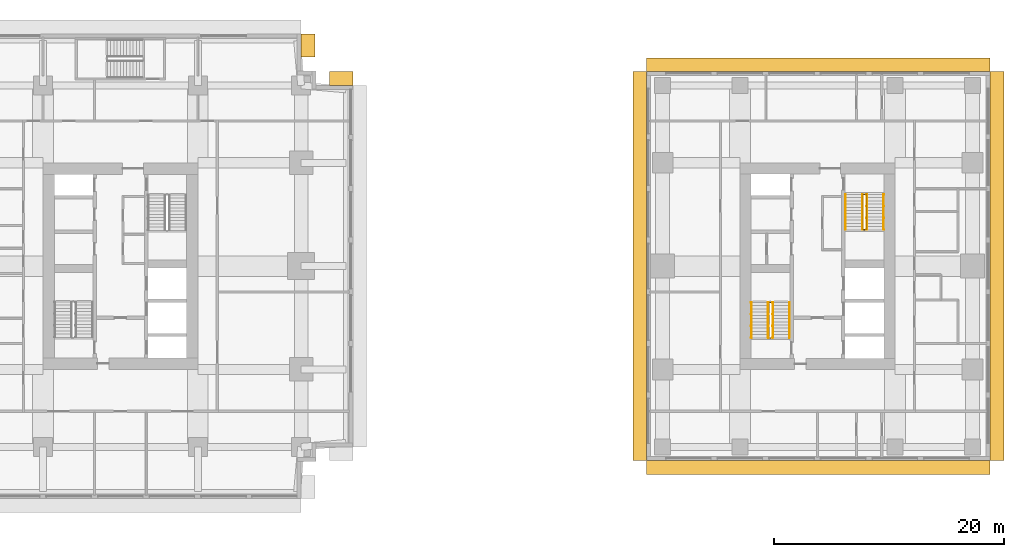
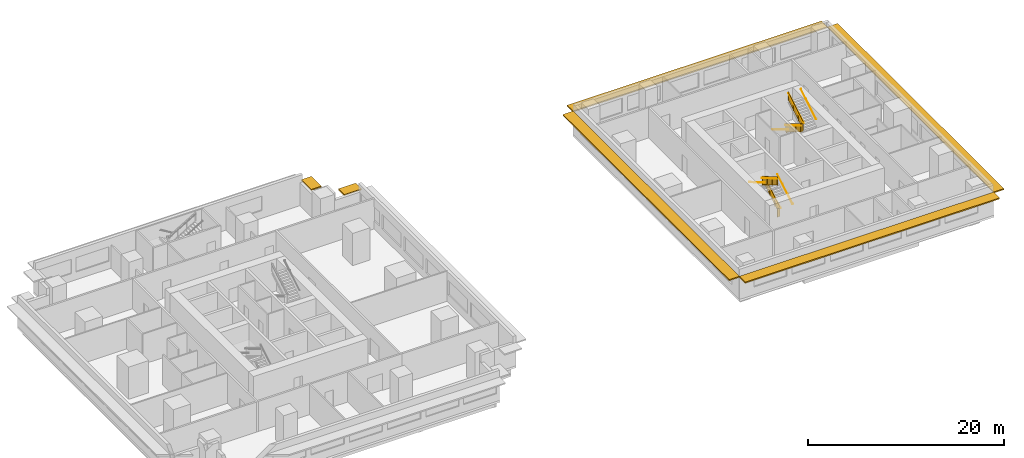
# One storey, part 11 of 11: 10 railings, 6 shading devices.
"""IFC4 building model written with IfcOpenShell, lengths in metres."""

from ifc_helpers import new_model, si_unit, direction, frame, origin, origin_2d, place, context, subcontext, project, spatial, polyline, rectangle, circle, outline, extrude, material, layer, layer_set, type_object, element, save


model = new_model("IFC4")

# Units and contexts
model_context = context("Model", 3, precision=1e-05, world=origin(), true_north=direction((0.0, 1.0)))
body_context = subcontext(model_context, "Body", "Model", "MODEL_VIEW")
ifc_project = project(units=[si_unit("LENGTHUNIT", "METRE"), si_unit("AREAUNIT", "SQUARE_METRE"), si_unit("VOLUMEUNIT", "CUBIC_METRE"), si_unit("PLANEANGLEUNIT", "RADIAN"), si_unit("MASSUNIT", "GRAM", prefix="KILO")], contexts=[model_context])

# Site, building, storey
site_placement = place(None, origin())
site = spatial("IfcSite", under=ifc_project, at=site_placement, CompositionType="ELEMENT")
building_placement = place(site_placement, origin())
building = spatial("IfcBuilding", under=site, at=building_placement, Name="Namib Vertical Campus", CompositionType="ELEMENT")
storey_placement = place(building_placement, frame((0.0, 0.0, 193.0)))
storey = spatial("IfcBuildingStorey", under=building, at=storey_placement, Name="L45", CompositionType="ELEMENT", Elevation=193.0)

# Railings
ifc_material_1 = material(Name="Steel handrail", Category="steel")
railing_type_1 = type_object("IfcRailingType", Name="Handrail 900", PredefinedType="HANDRAIL", material=ifc_material_1)
railing_1_placement = place(storey_placement, frame((78.550048828125, 14.0, 0.166748046875)))
element("IfcRailing", 1, at=railing_1_placement, inside=storey, type_object=railing_type_1, Name="Handrail HR1 B-S1 L45 1", PredefinedType="HANDRAIL", context=body_context, shape_type="SweptSolid", body=[
    extrude(circle(Radius=0.02392578125, at=origin_2d()), frame((0.0, 0.0, 0.8759765625), z_axis=(0.0, 0.859308565015, 0.511457515432), x_axis=(-1.0, 0.0, 0.0)), (0.0, 0.0, 1.0), 3.58447265625),
    extrude(circle(Radius=0.008056640625, at=origin_2d()), frame((0.0, 0.0, 0.8759765625), z_axis=(1.0, 0.0, 0.0), x_axis=(0.0, 0.0, 1.0)), (0.0, 0.0, 1.0), 0.050048828125),
    extrude(circle(Radius=0.008056640625, at=origin_2d()), frame((0.0, 1.026611328125, 1.48681640625), z_axis=(1.0, 0.0, 0.0), x_axis=(0.0, 0.0, 1.0)), (0.0, 0.0, 1.0), 0.050048828125),
    extrude(circle(Radius=0.008056640625, at=origin_2d()), frame((0.0, 2.053466796875, 2.09814453125), z_axis=(1.0, 0.0, 0.0), x_axis=(0.0, 0.0, 1.0)), (0.0, 0.0, 1.0), 0.050048828125),
    extrude(circle(Radius=0.008056640625, at=origin_2d()), frame((0.0, 3.080078125, 2.708984375), z_axis=(1.0, 0.0, 0.0), x_axis=(0.0, 0.0, 1.0)), (0.0, 0.0, 1.0), 0.050048828125),
])
railing_2_placement = place(storey_placement, frame((75.25, 17.080078125, 2.166748046875)))
element("IfcRailing", 2, at=railing_2_placement, inside=storey, type_object=railing_type_1, Name="Handrail HR1 B-S1 L45 2", PredefinedType="HANDRAIL", context=body_context, shape_type="SweptSolid", body=[
    extrude(circle(Radius=0.02392578125, at=origin_2d()), frame((0.0, 0.0, 0.8759765625), z_axis=(0.0, -0.859308565015, 0.511457515432), x_axis=(1.0, 0.0, 0.0)), (0.0, 0.0, 1.0), 3.58447265625),
    extrude(circle(Radius=0.008056640625, at=origin_2d()), frame((0.0, 0.0, 0.8759765625), z_axis=(-1.0, 0.0, 0.0), x_axis=(0.0, 0.0, 1.0)), (0.0, 0.0, 1.0), 0.050048828125),
    extrude(circle(Radius=0.008056640625, at=origin_2d()), frame((0.0, -1.026611328125, 1.48681640625), z_axis=(-1.0, 0.0, 0.0), x_axis=(0.0, 0.0, 1.0)), (0.0, 0.0, 1.0), 0.050048828125),
    extrude(circle(Radius=0.008056640625, at=origin_2d()), frame((0.0, -2.053466796875, 2.09814453125), z_axis=(-1.0, 0.0, 0.0), x_axis=(0.0, 0.0, 1.0)), (0.0, 0.0, 1.0), 0.050048828125),
    extrude(circle(Radius=0.008056640625, at=origin_2d()), frame((0.0, -3.080078125, 2.708984375), z_axis=(-1.0, 0.0, 0.0), x_axis=(0.0, 0.0, 1.0)), (0.0, 0.0, 1.0), 0.050048828125),
])
railing_3_placement = place(storey_placement, frame((77.10009765625, 14.0, 0.166748046875)))
element("IfcRailing", 3, at=railing_3_placement, inside=storey, type_object=railing_type_1, Name="Handrail HR1 B-S1 L45 1 at the well", PredefinedType="HANDRAIL", context=body_context, shape_type="SweptSolid", body=[
    extrude(circle(Radius=0.02392578125, at=origin_2d()), frame((0.0, 0.0, 0.8759765625), z_axis=(0.0, 0.859308565015, 0.511457515432), x_axis=(-1.0, 0.0, 0.0)), (0.0, 0.0, 1.0), 3.58447265625),
    extrude(circle(Radius=0.008056640625, at=origin_2d()), frame((0.0, 0.0, 0.8759765625), z_axis=(-1.0, 0.0, 0.0), x_axis=(0.0, 0.0, 1.0)), (0.0, 0.0, 1.0), 0.0400390625),
    extrude(circle(Radius=0.008056640625, at=origin_2d()), frame((0.0, 1.026611328125, 1.48681640625), z_axis=(-1.0, 0.0, 0.0), x_axis=(0.0, 0.0, 1.0)), (0.0, 0.0, 1.0), 0.0400390625),
    extrude(circle(Radius=0.008056640625, at=origin_2d()), frame((0.0, 2.053466796875, 2.09814453125), z_axis=(-1.0, 0.0, 0.0), x_axis=(0.0, 0.0, 1.0)), (0.0, 0.0, 1.0), 0.0400390625),
    extrude(circle(Radius=0.008056640625, at=origin_2d()), frame((0.0, 3.080078125, 2.708984375), z_axis=(-1.0, 0.0, 0.0), x_axis=(0.0, 0.0, 1.0)), (0.0, 0.0, 1.0), 0.0400390625),
])
railing_4_placement = place(storey_placement, frame((76.699951171875, 17.080078125, 2.166748046875)))
element("IfcRailing", 4, at=railing_4_placement, inside=storey, type_object=railing_type_1, Name="Handrail HR1 B-S1 L45 2 at the well", PredefinedType="HANDRAIL", context=body_context, shape_type="SweptSolid", body=[
    extrude(circle(Radius=0.02392578125, at=origin_2d()), frame((0.0, 0.0, 0.8759765625), z_axis=(0.0, -0.859308565015, 0.511457515432), x_axis=(1.0, 0.0, 0.0)), (0.0, 0.0, 1.0), 3.58447265625),
    extrude(circle(Radius=0.008056640625, at=origin_2d()), frame((0.0, 0.0, 0.8759765625), z_axis=(1.0, 0.0, 0.0), x_axis=(0.0, 0.0, 1.0)), (0.0, 0.0, 1.0), 0.0400390625),
    extrude(circle(Radius=0.008056640625, at=origin_2d()), frame((0.0, -1.026611328125, 1.48681640625), z_axis=(1.0, 0.0, 0.0), x_axis=(0.0, 0.0, 1.0)), (0.0, 0.0, 1.0), 0.0400390625),
    extrude(circle(Radius=0.008056640625, at=origin_2d()), frame((0.0, -2.053466796875, 2.09814453125), z_axis=(1.0, 0.0, 0.0), x_axis=(0.0, 0.0, 1.0)), (0.0, 0.0, 1.0), 0.0400390625),
    extrude(circle(Radius=0.008056640625, at=origin_2d()), frame((0.0, -3.080078125, 2.708984375), z_axis=(1.0, 0.0, 0.0), x_axis=(0.0, 0.0, 1.0)), (0.0, 0.0, 1.0), 0.0400390625),
])
railing_5_placement = place(storey_placement, frame((83.449951171875, 26.5, 0.166748046875)))
element("IfcRailing", 5, at=railing_5_placement, inside=storey, type_object=railing_type_1, Name="Handrail HR1 B-S2 L45 1", PredefinedType="HANDRAIL", context=body_context, shape_type="SweptSolid", body=[
    extrude(circle(Radius=0.02392578125, at=origin_2d()), frame((0.0, 0.0, 0.8759765625), z_axis=(0.0, -0.859308565015, 0.511457515432), x_axis=(1.0, 0.0, 0.0)), (0.0, 0.0, 1.0), 3.58447265625),
    extrude(circle(Radius=0.008056640625, at=origin_2d()), frame((0.0, 0.0, 0.8759765625), z_axis=(-1.0, 0.0, 0.0), x_axis=(0.0, 0.0, 1.0)), (0.0, 0.0, 1.0), 0.050048828125),
    extrude(circle(Radius=0.008056640625, at=origin_2d()), frame((0.0, -1.026611328125, 1.48681640625), z_axis=(-1.0, 0.0, 0.0), x_axis=(0.0, 0.0, 1.0)), (0.0, 0.0, 1.0), 0.050048828125),
    extrude(circle(Radius=0.008056640625, at=origin_2d()), frame((0.0, -2.053466796875, 2.09814453125), z_axis=(-1.0, 0.0, 0.0), x_axis=(0.0, 0.0, 1.0)), (0.0, 0.0, 1.0), 0.050048828125),
    extrude(circle(Radius=0.008056640625, at=origin_2d()), frame((0.0, -3.080078125, 2.708984375), z_axis=(-1.0, 0.0, 0.0), x_axis=(0.0, 0.0, 1.0)), (0.0, 0.0, 1.0), 0.050048828125),
])
railing_6_placement = place(storey_placement, frame((86.75, 23.419921875, 2.166748046875)))
element("IfcRailing", 6, at=railing_6_placement, inside=storey, type_object=railing_type_1, Name="Handrail HR1 B-S2 L45 2", PredefinedType="HANDRAIL", context=body_context, shape_type="SweptSolid", body=[
    extrude(circle(Radius=0.02392578125, at=origin_2d()), frame((0.0, 0.0, 0.8759765625), z_axis=(0.0, 0.859308565015, 0.511457515432), x_axis=(-1.0, 0.0, 0.0)), (0.0, 0.0, 1.0), 3.58447265625),
    extrude(circle(Radius=0.008056640625, at=origin_2d()), frame((0.0, 0.0, 0.8759765625), z_axis=(1.0, 0.0, 0.0), x_axis=(0.0, 0.0, 1.0)), (0.0, 0.0, 1.0), 0.050048828125),
    extrude(circle(Radius=0.008056640625, at=origin_2d()), frame((0.0, 1.026611328125, 1.48681640625), z_axis=(1.0, 0.0, 0.0), x_axis=(0.0, 0.0, 1.0)), (0.0, 0.0, 1.0), 0.050048828125),
    extrude(circle(Radius=0.008056640625, at=origin_2d()), frame((0.0, 2.053466796875, 2.09814453125), z_axis=(1.0, 0.0, 0.0), x_axis=(0.0, 0.0, 1.0)), (0.0, 0.0, 1.0), 0.050048828125),
    extrude(circle(Radius=0.008056640625, at=origin_2d()), frame((0.0, 3.080078125, 2.708984375), z_axis=(1.0, 0.0, 0.0), x_axis=(0.0, 0.0, 1.0)), (0.0, 0.0, 1.0), 0.050048828125),
])
railing_7_placement = place(storey_placement, frame((84.89990234375, 26.5, 0.166748046875)))
element("IfcRailing", 7, at=railing_7_placement, inside=storey, type_object=railing_type_1, Name="Handrail HR1 B-S2 L45 1 at the well", PredefinedType="HANDRAIL", context=body_context, shape_type="SweptSolid", body=[
    extrude(circle(Radius=0.02392578125, at=origin_2d()), frame((0.0, 0.0, 0.8759765625), z_axis=(0.0, -0.859308565015, 0.511457515432), x_axis=(1.0, 0.0, 0.0)), (0.0, 0.0, 1.0), 3.58447265625),
    extrude(circle(Radius=0.008056640625, at=origin_2d()), frame((0.0, 0.0, 0.8759765625), z_axis=(1.0, 0.0, 0.0), x_axis=(0.0, 0.0, 1.0)), (0.0, 0.0, 1.0), 0.0400390625),
    extrude(circle(Radius=0.008056640625, at=origin_2d()), frame((0.0, -1.026611328125, 1.48681640625), z_axis=(1.0, 0.0, 0.0), x_axis=(0.0, 0.0, 1.0)), (0.0, 0.0, 1.0), 0.0400390625),
    extrude(circle(Radius=0.008056640625, at=origin_2d()), frame((0.0, -2.053466796875, 2.09814453125), z_axis=(1.0, 0.0, 0.0), x_axis=(0.0, 0.0, 1.0)), (0.0, 0.0, 1.0), 0.0400390625),
    extrude(circle(Radius=0.008056640625, at=origin_2d()), frame((0.0, -3.080078125, 2.708984375), z_axis=(1.0, 0.0, 0.0), x_axis=(0.0, 0.0, 1.0)), (0.0, 0.0, 1.0), 0.0400390625),
])
railing_8_placement = place(storey_placement, frame((85.300048828125, 23.419921875, 2.166748046875)))
element("IfcRailing", 8, at=railing_8_placement, inside=storey, type_object=railing_type_1, Name="Handrail HR1 B-S2 L45 2 at the well", PredefinedType="HANDRAIL", context=body_context, shape_type="SweptSolid", body=[
    extrude(circle(Radius=0.02392578125, at=origin_2d()), frame((0.0, 0.0, 0.8759765625), z_axis=(0.0, 0.859308565015, 0.511457515432), x_axis=(-1.0, 0.0, 0.0)), (0.0, 0.0, 1.0), 3.58447265625),
    extrude(circle(Radius=0.008056640625, at=origin_2d()), frame((0.0, 0.0, 0.8759765625), z_axis=(-1.0, 0.0, 0.0), x_axis=(0.0, 0.0, 1.0)), (0.0, 0.0, 1.0), 0.0400390625),
    extrude(circle(Radius=0.008056640625, at=origin_2d()), frame((0.0, 1.026611328125, 1.48681640625), z_axis=(-1.0, 0.0, 0.0), x_axis=(0.0, 0.0, 1.0)), (0.0, 0.0, 1.0), 0.0400390625),
    extrude(circle(Radius=0.008056640625, at=origin_2d()), frame((0.0, 2.053466796875, 2.09814453125), z_axis=(-1.0, 0.0, 0.0), x_axis=(0.0, 0.0, 1.0)), (0.0, 0.0, 1.0), 0.0400390625),
    extrude(circle(Radius=0.008056640625, at=origin_2d()), frame((0.0, 3.080078125, 2.708984375), z_axis=(-1.0, 0.0, 0.0), x_axis=(0.0, 0.0, 1.0)), (0.0, 0.0, 1.0), 0.0400390625),
])
ifc_material_2 = material(Name="Steel balustrade", Category="steel")
railing_type_2 = type_object("IfcRailingType", Name="Stair guard 1100", PredefinedType="GUARDRAIL", material=ifc_material_2)
railing_9_placement = place(storey_placement, frame((76.75, 14.0, 0.0)))
element("IfcRailing", 9, at=railing_9_placement, inside=storey, type_object=railing_type_2, Name="Stair guard GR1 B-S1 L45", PredefinedType="GUARDRAIL", context=body_context, shape_type="SweptSolid", body=[
    extrude(circle(Radius=0.02392578125, at=origin_2d()), frame((0.0, 0.0, 1.076171875), z_axis=(1.0, 0.0, 0.0), x_axis=(0.0, 1.0, 0.0)), (0.0, 0.0, 1.0), 0.300048828125),
    extrude(outline(polyline([(0.02099609375, 0.050048828125), (0.279052734375, 0.050048828125), (0.279052734375, 1.052001953125), (0.02099609375, 1.052001953125), (0.02099609375, 0.050048828125)])), frame((0.0, 0.010009765625, 0.0), z_axis=(0.0, -1.0, 0.0), x_axis=(1.0, 0.0, 0.0)), (0.0, 0.0, 1.0), 0.02001953125),
    extrude(circle(Radius=0.02392578125, at=origin_2d()), frame((0.300048828125, 0.0, 1.076171875), z_axis=(0.0, 0.0, 1.0), x_axis=(1.0, 0.0, 0.0)), (0.0, 0.0, 1.0), 0.166748046875),
    extrude(circle(Radius=0.02392578125, at=origin_2d()), frame((0.300048828125, 0.0, 1.24267578125), z_axis=(0.0, 0.859308565015, 0.511457515432), x_axis=(-1.0, 0.0, 0.0)), (0.0, 0.0, 1.0), 3.58447265625),
    extrude(outline(polyline([(0.02099609375, 0.0625), (3.05908203125, 1.870849609375), (3.05908203125, 2.872802734375), (0.02099609375, 1.064453125), (0.02099609375, 0.0625)])), frame((0.2900390625, 0.0, 0.166748046875), z_axis=(1.0, 0.0, 0.0), x_axis=(0.0, 1.0, 0.0)), (0.0, 0.0, 1.0), 0.02001953125),
    extrude(circle(Radius=0.02392578125, at=origin_2d()), frame((0.300048828125, 3.080078125, 3.076171875), z_axis=(-1.0, 0.0, 0.0), x_axis=(0.0, -1.0, 0.0)), (0.0, 0.0, 1.0), 0.300048828125),
    extrude(outline(polyline([(0.02099609375, 0.050048828125), (0.279052734375, 0.050048828125), (0.279052734375, 1.052001953125), (0.02099609375, 1.052001953125), (0.02099609375, 0.050048828125)])), frame((0.300048828125, 3.070068359375, 2.0), z_axis=(0.0, 1.0, 0.0), x_axis=(-1.0, 0.0, 0.0)), (0.0, 0.0, 1.0), 0.02001953125),
    extrude(circle(Radius=0.02392578125, at=origin_2d()), frame((0.0, 3.080078125, 3.076171875), z_axis=(0.0, 0.0, 1.0), x_axis=(1.0, 0.0, 0.0)), (0.0, 0.0, 1.0), 0.166748046875),
    extrude(circle(Radius=0.02392578125, at=origin_2d()), frame((0.0, 3.080078125, 3.24267578125), z_axis=(0.0, -0.859308565015, 0.511457515432), x_axis=(1.0, 0.0, 0.0)), (0.0, 0.0, 1.0), 3.58447265625),
    extrude(outline(polyline([(0.02099609375, 0.0625), (3.05908203125, 1.870849609375), (3.05908203125, 2.872802734375), (0.02099609375, 1.064453125), (0.02099609375, 0.0625)])), frame((0.010009765625, 3.080078125, 2.166748046875), z_axis=(-1.0, 0.0, 0.0), x_axis=(0.0, -1.0, 0.0)), (0.0, 0.0, 1.0), 0.02001953125),
    extrude(circle(Radius=0.02392578125, at=origin_2d()), frame((0.0, 0.0, 5.076171875), z_axis=(0.0, -1.0, 0.0), x_axis=(1.0, 0.0, 0.0)), (0.0, 0.0, 1.0), 0.050048828125),
    extrude(outline(polyline([(0.02099609375, 0.050048828125), (0.029052734375, 0.050048828125), (0.029052734375, 1.052001953125), (0.02099609375, 1.052001953125), (0.02099609375, 0.050048828125)])), frame((0.010009765625, 0.0, 4.0), z_axis=(-1.0, 0.0, 0.0), x_axis=(0.0, -1.0, 0.0)), (0.0, 0.0, 1.0), 0.02001953125),
    extrude(circle(Radius=0.02099609375, at=origin_2d()), origin(), (0.0, 0.0, 1.0), 1.052001953125),
    extrude(circle(Radius=0.02099609375, at=origin_2d()), frame((0.300048828125, 0.0, 0.166748046875)), (0.0, 0.0, 1.0), 1.052001953125),
    extrude(circle(Radius=0.02099609375, at=origin_2d()), frame((0.300048828125, 1.026611328125, 0.666748046875)), (0.0, 0.0, 1.0), 1.1630859375),
    extrude(circle(Radius=0.02099609375, at=origin_2d()), frame((0.300048828125, 2.053466796875, 1.33349609375)), (0.0, 0.0, 1.0), 1.107421875),
    extrude(circle(Radius=0.02099609375, at=origin_2d()), frame((0.300048828125, 3.080078125, 2.0)), (0.0, 0.0, 1.0), 1.052001953125),
    extrude(circle(Radius=0.02099609375, at=origin_2d()), frame((0.0, 3.080078125, 2.166748046875)), (0.0, 0.0, 1.0), 1.052001953125),
    extrude(circle(Radius=0.02099609375, at=origin_2d()), frame((0.0, 2.053466796875, 2.666748046875)), (0.0, 0.0, 1.0), 1.1630859375),
    extrude(circle(Radius=0.02099609375, at=origin_2d()), frame((0.0, 1.026611328125, 3.33349609375)), (0.0, 0.0, 1.0), 1.107421875),
    extrude(circle(Radius=0.02099609375, at=origin_2d()), frame((0.0, 0.0, 4.0)), (0.0, 0.0, 1.0), 1.052001953125),
    extrude(circle(Radius=0.02099609375, at=origin_2d()), frame((0.0, -0.050048828125, 4.0)), (0.0, 0.0, 1.0), 1.052001953125),
])
railing_10_placement = place(storey_placement, frame((85.25, 26.5, 0.0)))
element("IfcRailing", 10, at=railing_10_placement, inside=storey, type_object=railing_type_2, Name="Stair guard GR1 B-S2 L45", PredefinedType="GUARDRAIL", context=body_context, shape_type="SweptSolid", body=[
    extrude(circle(Radius=0.02392578125, at=origin_2d()), frame((0.0, 0.0, 1.076171875), z_axis=(-1.0, 0.0, 0.0), x_axis=(0.0, -1.0, 0.0)), (0.0, 0.0, 1.0), 0.300048828125),
    extrude(outline(polyline([(0.02099609375, 0.050048828125), (0.279052734375, 0.050048828125), (0.279052734375, 1.052001953125), (0.02099609375, 1.052001953125), (0.02099609375, 0.050048828125)])), frame((0.0, -0.010009765625, 0.0), z_axis=(0.0, 1.0, 0.0), x_axis=(-1.0, 0.0, 0.0)), (0.0, 0.0, 1.0), 0.02001953125),
    extrude(circle(Radius=0.02392578125, at=origin_2d()), frame((-0.300048828125, 0.0, 1.076171875), z_axis=(0.0, 0.0, 1.0), x_axis=(1.0, 0.0, 0.0)), (0.0, 0.0, 1.0), 0.166748046875),
    extrude(circle(Radius=0.02392578125, at=origin_2d()), frame((-0.300048828125, 0.0, 1.24267578125), z_axis=(0.0, -0.859308565015, 0.511457515432), x_axis=(1.0, 0.0, 0.0)), (0.0, 0.0, 1.0), 3.58447265625),
    extrude(outline(polyline([(0.02099609375, 0.0625), (3.05908203125, 1.870849609375), (3.05908203125, 2.872802734375), (0.02099609375, 1.064453125), (0.02099609375, 0.0625)])), frame((-0.2900390625, 0.0, 0.166748046875), z_axis=(-1.0, 0.0, 0.0), x_axis=(0.0, -1.0, 0.0)), (0.0, 0.0, 1.0), 0.02001953125),
    extrude(circle(Radius=0.02392578125, at=origin_2d()), frame((-0.300048828125, -3.080078125, 3.076171875), z_axis=(1.0, 0.0, 0.0), x_axis=(0.0, 1.0, 0.0)), (0.0, 0.0, 1.0), 0.300048828125),
    extrude(outline(polyline([(0.02099609375, 0.050048828125), (0.279052734375, 0.050048828125), (0.279052734375, 1.052001953125), (0.02099609375, 1.052001953125), (0.02099609375, 0.050048828125)])), frame((-0.300048828125, -3.070068359375, 2.0), z_axis=(0.0, -1.0, 0.0), x_axis=(1.0, 0.0, 0.0)), (0.0, 0.0, 1.0), 0.02001953125),
    extrude(circle(Radius=0.02392578125, at=origin_2d()), frame((0.0, -3.080078125, 3.076171875), z_axis=(0.0, 0.0, 1.0), x_axis=(1.0, 0.0, 0.0)), (0.0, 0.0, 1.0), 0.166748046875),
    extrude(circle(Radius=0.02392578125, at=origin_2d()), frame((0.0, -3.080078125, 3.24267578125), z_axis=(0.0, 0.859308565015, 0.511457515432), x_axis=(-1.0, 0.0, 0.0)), (0.0, 0.0, 1.0), 3.58447265625),
    extrude(outline(polyline([(0.02099609375, 0.0625), (3.05908203125, 1.870849609375), (3.05908203125, 2.872802734375), (0.02099609375, 1.064453125), (0.02099609375, 0.0625)])), frame((-0.010009765625, -3.080078125, 2.166748046875), z_axis=(1.0, 0.0, 0.0), x_axis=(0.0, 1.0, 0.0)), (0.0, 0.0, 1.0), 0.02001953125),
    extrude(circle(Radius=0.02392578125, at=origin_2d()), frame((0.0, 0.0, 5.076171875), z_axis=(0.0, 1.0, 0.0), x_axis=(-1.0, 0.0, 0.0)), (0.0, 0.0, 1.0), 0.050048828125),
    extrude(outline(polyline([(0.02099609375, 0.050048828125), (0.029052734375, 0.050048828125), (0.029052734375, 1.052001953125), (0.02099609375, 1.052001953125), (0.02099609375, 0.050048828125)])), frame((-0.010009765625, 0.0, 4.0), z_axis=(1.0, 0.0, 0.0), x_axis=(0.0, 1.0, 0.0)), (0.0, 0.0, 1.0), 0.02001953125),
    extrude(circle(Radius=0.02099609375, at=origin_2d()), origin(), (0.0, 0.0, 1.0), 1.052001953125),
    extrude(circle(Radius=0.02099609375, at=origin_2d()), frame((-0.300048828125, 0.0, 0.166748046875)), (0.0, 0.0, 1.0), 1.052001953125),
    extrude(circle(Radius=0.02099609375, at=origin_2d()), frame((-0.300048828125, -1.026611328125, 0.666748046875)), (0.0, 0.0, 1.0), 1.1630859375),
    extrude(circle(Radius=0.02099609375, at=origin_2d()), frame((-0.300048828125, -2.053466796875, 1.33349609375)), (0.0, 0.0, 1.0), 1.107421875),
    extrude(circle(Radius=0.02099609375, at=origin_2d()), frame((-0.300048828125, -3.080078125, 2.0)), (0.0, 0.0, 1.0), 1.052001953125),
    extrude(circle(Radius=0.02099609375, at=origin_2d()), frame((0.0, -3.080078125, 2.166748046875)), (0.0, 0.0, 1.0), 1.052001953125),
    extrude(circle(Radius=0.02099609375, at=origin_2d()), frame((0.0, -2.053466796875, 2.666748046875)), (0.0, 0.0, 1.0), 1.1630859375),
    extrude(circle(Radius=0.02099609375, at=origin_2d()), frame((0.0, -1.026611328125, 3.33349609375)), (0.0, 0.0, 1.0), 1.107421875),
    extrude(circle(Radius=0.02099609375, at=origin_2d()), frame((0.0, 0.0, 4.0)), (0.0, 0.0, 1.0), 1.052001953125),
    extrude(circle(Radius=0.02099609375, at=origin_2d()), frame((0.0, 0.050048828125, 4.0)), (0.0, 0.0, 1.0), 1.052001953125),
])

# Shading devices
ifc_material_3 = material(Name="Concrete C40/50 precast", Category="concrete")
ifc_layer = layer(ifc_material_3, 0.14990234375)
ifc_layer_set = layer_set([ifc_layer], Name="Concrete C40/50 precast")
shading_device_type = type_object("IfcShadingDeviceType", Name="Sunshade hood 1200", PredefinedType="SHUTTER", material=ifc_layer_set)
for number, where, z_axis, x_axis, name in (
    (11, (39.487548828125, 36.60009765625, 2.75), (0.0, 0.0, 1.0), (-1.0, 0.0, 0.0), "Sunshade SH2 L45 7"),
    (12, (36.60009765625, 39.487548828125, 2.75), (0.0, 0.0, 1.0), (0.0, 1.0, 0.0), "Sunshade SH2 L45 10"),
):
    element("IfcShadingDevice", number, at=place(storey_placement, frame(where, z_axis=z_axis, x_axis=x_axis)), inside=storey, type_object=shading_device_type, Name=name, PredefinedType="SHUTTER", context=body_context, shape_type="SweptSolid", body=[
        extrude(rectangle(XDim=2.02490234375, YDim=1.199951171875, at=origin_2d()), origin(), (0.0, 0.0, 1.0), 0.14990234375),
    ])
shading_device_1_placement = place(storey_placement, frame((81.074951171875, 2.699951171875, 2.75), z_axis=(0.0, 0.0, 1.0), x_axis=(1.0, 0.0, 0.0)))
element("IfcShadingDevice", 13, at=shading_device_1_placement, inside=storey, type_object=shading_device_type, Name="Sunshade SH2 L45 1", PredefinedType="SHUTTER", context=body_context, shape_type="SweptSolid", body=[
    extrude(rectangle(XDim=29.949951171875, YDim=1.199951171875, at=origin_2d()), origin(), (0.0, 0.0, 1.0), 0.14990234375),
])
shading_device_2_placement = place(storey_placement, frame((96.64990234375, 20.25, 2.75), z_axis=(0.0, 0.0, 1.0), x_axis=(0.0, 1.0, 0.0)))
element("IfcShadingDevice", 14, at=shading_device_2_placement, inside=storey, type_object=shading_device_type, Name="Sunshade SH2 L45 2", PredefinedType="SHUTTER", context=body_context, shape_type="SweptSolid", body=[
    extrude(rectangle(XDim=33.89990234375, YDim=1.199951171875, at=origin_2d()), origin(), (0.0, 0.0, 1.0), 0.14990234375),
])
shading_device_3_placement = place(storey_placement, frame((81.074951171875, 37.800048828125, 2.75), z_axis=(0.0, 0.0, 1.0), x_axis=(-1.0, 0.0, 0.0)))
element("IfcShadingDevice", 15, at=shading_device_3_placement, inside=storey, type_object=shading_device_type, Name="Sunshade SH2 L45 3", PredefinedType="SHUTTER", context=body_context, shape_type="SweptSolid", body=[
    extrude(rectangle(XDim=29.949951171875, YDim=1.199951171875, at=origin_2d()), origin(), (0.0, 0.0, 1.0), 0.14990234375),
])
shading_device_4_placement = place(storey_placement, frame((65.5, 20.25, 2.75), z_axis=(0.0, 0.0, 1.0), x_axis=(0.0, -1.0, 0.0)))
element("IfcShadingDevice", 16, at=shading_device_4_placement, inside=storey, type_object=shading_device_type, Name="Sunshade SH2 L45 4", PredefinedType="SHUTTER", context=body_context, shape_type="SweptSolid", body=[
    extrude(rectangle(XDim=33.89990234375, YDim=1.199951171875, at=origin_2d()), origin(), (0.0, 0.0, 1.0), 0.14990234375),
])

save(model, "model.ifc")
